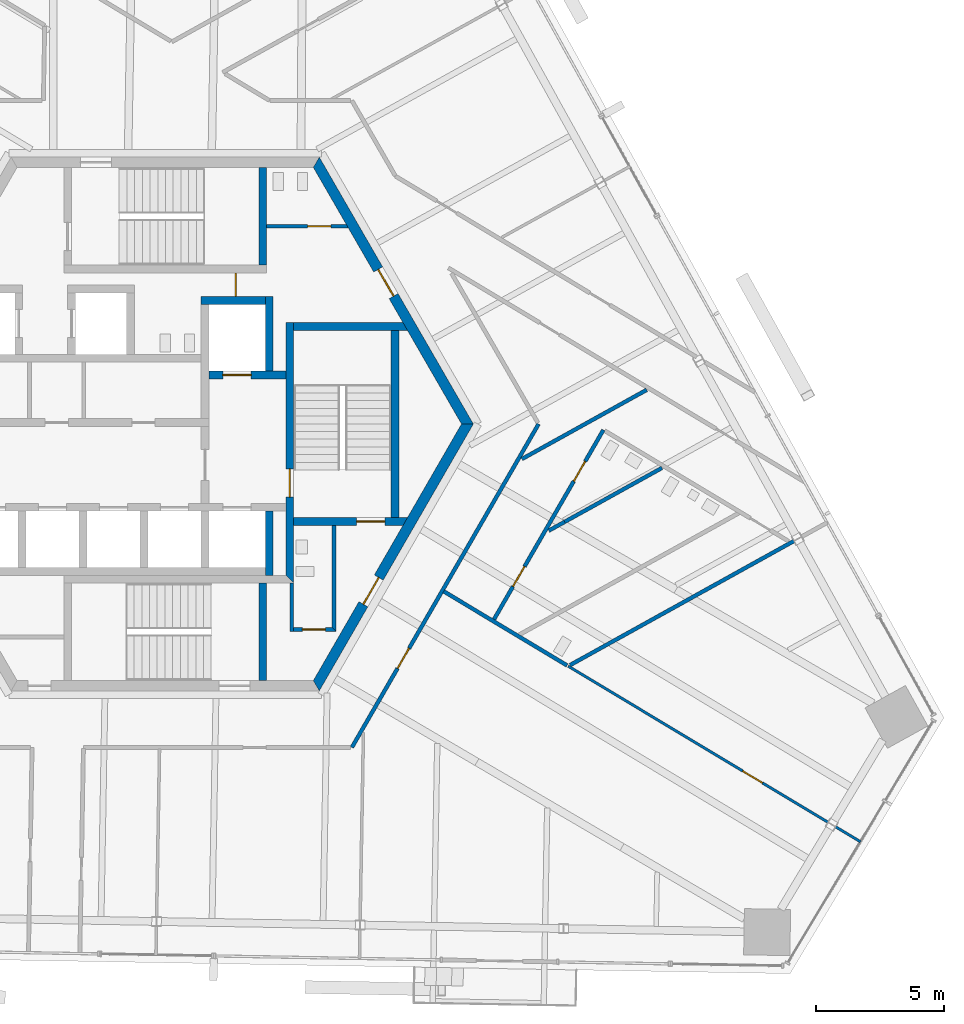
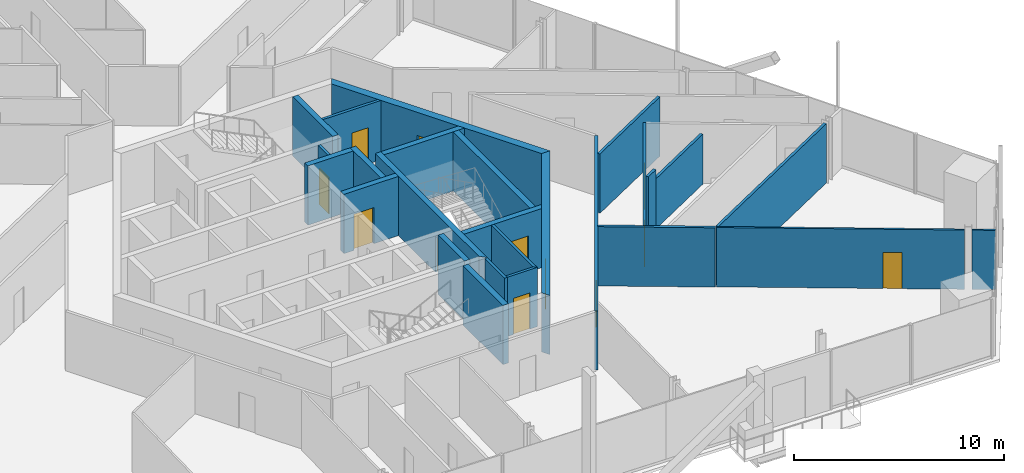
# One storey, part 13 of 21: 26 walls, 12 doors, 12 openings.
"""IFC4 building model written with IfcOpenShell, lengths in metres."""

from ifc_helpers import new_model, si_unit, direction, frame, frame_2d, origin, place, context, subcontext, project, spatial, polyline, rectangle, outline, extrude, source, transform, mapped, material, layer, layer_set, type_object, element, fill, save


model = new_model("IFC4")

# Units and contexts
model_context = context("Model", 3, precision=1e-05, world=origin(), true_north=direction((0.0, 1.0)))
body_context = subcontext(model_context, "Body", "Model", "MODEL_VIEW")
ifc_project = project(units=[si_unit("LENGTHUNIT", "METRE"), si_unit("AREAUNIT", "SQUARE_METRE"), si_unit("VOLUMEUNIT", "CUBIC_METRE"), si_unit("PLANEANGLEUNIT", "RADIAN"), si_unit("MASSUNIT", "GRAM", prefix="KILO")], contexts=[model_context])

# Site, building, storey
site_placement = place(None, origin())
site = spatial("IfcSite", under=ifc_project, at=site_placement, CompositionType="ELEMENT")
building_placement = place(site_placement, origin())
building = spatial("IfcBuilding", under=site, at=building_placement, Name="Triune Harvest Tower", CompositionType="ELEMENT")
storey_placement = place(building_placement, frame((0.0, 0.0, 201.5)))
storey = spatial("IfcBuildingStorey", under=building, at=storey_placement, Name="L52", CompositionType="ELEMENT", Elevation=201.5)

# Wall
ifc_material_1 = material(Name="Gypsum board on steel studs", Category="steel")
ifc_layer_1 = layer(ifc_material_1, 0.14990234375)
ifc_layer_set_1 = layer_set([ifc_layer_1], Name="Gypsum board on steel studs")
wall_type_1 = type_object("IfcWallType", Name="Fire Partition 150 mm", PredefinedType="PARTITIONING", material=ifc_layer_set_1)
wall_1_placement = place(storey_placement, frame((15.55712890625, -3.80908203125, 0.0), z_axis=(0.0, 0.0, 1.0), x_axis=(0.8746092269, 0.484828526617, 0.0)))
element("IfcWall", 1, at=wall_1_placement, inside=storey, type_object=wall_type_1, Name="Partition L52 029a", PredefinedType="PARTITIONING", context=body_context, shape_type="SweptSolid", body=[
    extrude(rectangle(XDim=4.328125, YDim=0.14990234375, at=frame_2d((2.1640625, 0.0))), origin(), (0.0, 0.0, 1.0), 2.904052734375),
])

# Wall, opening, door
ifc_material_2 = material(Name="Concrete 70 MPa", Category="concrete")
ifc_layer_2 = layer(ifc_material_2, 0.39990234375)
ifc_layer_set_2 = layer_set([ifc_layer_2], Name="Concrete 70 MPa")
wall_type_2 = type_object("IfcWallType", Name="Core wall 400", PredefinedType="SHEAR", material=ifc_layer_set_2)
shared_shape_1 = source(origin(), body_context, "Body", "SweptSolid", [
    extrude(outline(polyline([(-0.115478515625, -0.199951171875), (11.884521484375, -0.199951171875), (11.653564453125, 0.199951171875), (0.115478515625, 0.199951171875), (-0.115478515625, -0.199951171875)])), origin(), (0.0, 0.0, 1.0), 3.43994140625),
])
wall_2_placement = place(storey_placement, frame((11.76904296875, 0.0, 0.0), z_axis=(0.0, 0.0, 1.0), x_axis=(-0.499996592174, 0.866027371285, 0.0)))
wall_2 = element("IfcWall", 2, at=wall_2_placement, inside=storey, type_object=wall_type_2, Name="Hexagon 0 wall", PredefinedType="SHEAR", context=body_context, shape_type="MappedRepresentation", body=[
    mapped(shared_shape_1, transform((0.0, 0.0, 0.0), scale=1.0)),
])
opening_1_placement = place(wall_2_placement, frame((5.75048828125, 0.0, 0.0)))
opening_1 = element("IfcOpeningElement", 3, at=opening_1_placement, cuts=wall_2, Name="Opening CD-WCP", PredefinedType="OPENING", context=body_context, shape_type="SweptSolid", body=[
    extrude(rectangle(XDim=1.199951171875, YDim=2.10009765625, at=frame_2d((0.60009765625, 1.050048828125))), frame((0.0, 0.2099609375, 0.0), z_axis=(0.0, -1.0, 0.0), x_axis=(1.0, 0.0, 0.0)), (0.0, 0.0, 1.0), 0.419921875),
])
ifc_material_3 = material(Name="Steel S235", Category="steel")
door_type_1 = type_object("IfcDoorType", Name="Lobby door 1200 FD120", OperationType="SINGLE_SWING_LEFT", PredefinedType="DOOR", material=ifc_material_3)
door_1_placement = place(opening_1_placement, frame((1.199951171875, 0.0, 0.0), z_axis=(0.0, 0.0, 1.0), x_axis=(-1.0, 0.0, 0.0)))
door_1 = element("IfcDoor", 4, at=door_1_placement, inside=storey, type_object=door_type_1, Name="Door CD-WCP", OperationType="SINGLE_SWING_RIGHT", OverallHeight=2.10009765625, OverallWidth=1.199951171875, PredefinedType="DOOR", context=body_context, shape_type="SweptSolid", body=[
    extrude(rectangle(XDim=1.199951171875, YDim=2.10009765625, at=frame_2d((0.60009765625, 1.050048828125))), frame((0.0, 0.02490234375, 0.0), z_axis=(0.0, -1.0, 0.0), x_axis=(1.0, 0.0, 0.0)), (0.0, 0.0, 1.0), 0.050048828125),
])
fill(opening_1, door_1)

wall_3_placement = place(storey_placement, frame((5.884521484375, -10.1923828125, 0.0), z_axis=(0.0, 0.0, 1.0), x_axis=(0.499996592174, 0.866027371285, 0.0)))
wall_3 = element("IfcWall", 5, at=wall_3_placement, inside=storey, type_object=wall_type_2, Name="Hexagon 5 wall", PredefinedType="SHEAR", context=body_context, shape_type="MappedRepresentation", body=[
    mapped(shared_shape_1, transform((0.0, 0.0, 0.0), scale=1.0)),
])
opening_2_placement = place(wall_3_placement, frame((3.66455078125, 0.0, 0.0)))
opening_2 = element("IfcOpeningElement", 6, at=opening_2_placement, cuts=wall_3, Name="Opening CD-DP", PredefinedType="OPENING", context=body_context, shape_type="SweptSolid", body=[
    extrude(rectangle(XDim=1.199951171875, YDim=2.10009765625, at=frame_2d((0.60009765625, 1.050048828125))), frame((0.0, 0.2099609375, 0.0), z_axis=(0.0, -1.0, 0.0), x_axis=(1.0, 0.0, 0.0)), (0.0, 0.0, 1.0), 0.419921875),
])
ifc_material_4 = material(Name="Steel S235", Category="steel")
door_type_2 = type_object("IfcDoorType", Name="Stair door 1200 FD120", OperationType="SINGLE_SWING_LEFT", PredefinedType="DOOR", material=ifc_material_4)
door_2_placement = place(opening_2_placement, frame((1.199951171875, 0.0, 0.0), z_axis=(0.0, 0.0, 1.0), x_axis=(-1.0, 0.0, 0.0)))
door_2 = element("IfcDoor", 7, at=door_2_placement, inside=storey, type_object=door_type_2, Name="Door CD-DP", OperationType="SINGLE_SWING_RIGHT", OverallHeight=2.10009765625, OverallWidth=1.199951171875, PredefinedType="DOOR", context=body_context, shape_type="SweptSolid", body=[
    extrude(rectangle(XDim=1.199951171875, YDim=2.10009765625, at=frame_2d((0.60009765625, 1.050048828125))), frame((0.0, 0.02490234375, 0.0), z_axis=(0.0, -1.0, 0.0), x_axis=(1.0, 0.0, 0.0)), (0.0, 0.0, 1.0), 0.050048828125),
])
fill(opening_2, door_2)

# Walls
ifc_material_5 = material(Name="Concrete 70 MPa", Category="concrete")
ifc_layer_3 = layer(ifc_material_5, 0.300048828125)
ifc_layer_set_3 = layer_set([ifc_layer_3], Name="Concrete 70 MPa")
wall_type_3 = type_object("IfcWallType", Name="Core wall 300", PredefinedType="SHEAR", material=ifc_layer_set_3)
shared_shape_2 = source(origin(), body_context, "Body", "SweptSolid", [
    extrude(rectangle(XDim=2.5, YDim=0.300048828125, at=frame_2d((1.25, 0.0))), origin(), (0.0, 0.0, 1.0), 3.43994140625),
])
for number, where, z_axis, x_axis, name in (
    (8, (1.39990234375, 4.81005859375, 0.0), (0.0, 0.0, 1.0), (1.0, 0.0, 0.0), "Ff1 back wall"),
    (9, (4.050048828125, -5.889892578125, 0.0), (0.0, 0.0, 1.0), (0.0, 1.0, 0.0), "Ff2 east wall"),
):
    element("IfcWall", number, at=place(storey_placement, frame(where, z_axis=z_axis, x_axis=x_axis)), inside=storey, type_object=wall_type_3, Name=name, PredefinedType="SHEAR", context=body_context, shape_type="MappedRepresentation", body=[
        mapped(shared_shape_2, transform((0.0, 0.0, 0.0), scale=1.0)),
    ])

# Wall, opening, door
shared_shape_3 = source(origin(), body_context, "Body", "SweptSolid", [
    extrude(rectangle(XDim=3.0, YDim=0.300048828125, at=frame_2d((1.5, 0.0))), origin(), (0.0, 0.0, 1.0), 3.43994140625),
])
wall_4_placement = place(storey_placement, frame((1.699951171875, 1.909912109375, 0.0), z_axis=(0.0, 0.0, 1.0), x_axis=(1.0, 0.0, 0.0)))
wall_4 = element("IfcWall", 10, at=wall_4_placement, inside=storey, type_object=wall_type_3, Name="Ff1 front wall", PredefinedType="SHEAR", context=body_context, shape_type="MappedRepresentation", body=[
    mapped(shared_shape_3, transform((0.0, 0.0, 0.0), scale=1.0)),
])
opening_3_placement = place(wall_4_placement, frame((0.550048828125, 0.0, 0.0)))
opening_3 = element("IfcOpeningElement", 11, at=opening_3_placement, cuts=wall_4, Name="Opening LD-FF1-52", PredefinedType="OPENING", context=body_context, shape_type="SweptSolid", body=[
    extrude(rectangle(XDim=1.10009765625, YDim=2.10009765625, at=frame_2d((0.550048828125, 1.050048828125))), frame((0.0, 0.16015625, 0.0), z_axis=(0.0, -1.0, 0.0), x_axis=(1.0, 0.0, 0.0)), (0.0, 0.0, 1.0), 0.320068359375),
])
ifc_material_6 = material(Name="Stainless steel AISI 304", Category="steel")
door_type_3 = type_object("IfcDoorType", Name="Landing door 1100 x 2100", OperationType="DOUBLE_DOOR_SLIDING", PredefinedType="DOOR", material=ifc_material_6)
door_3_placement = place(opening_3_placement, origin())
door_3 = element("IfcDoor", 12, at=door_3_placement, inside=storey, type_object=door_type_3, Name="Door LD-FF1-52", OperationType="DOUBLE_DOOR_SLIDING", OverallHeight=2.10009765625, OverallWidth=1.10009765625, PredefinedType="DOOR", context=body_context, shape_type="SweptSolid", body=[
    extrude(rectangle(XDim=1.10009765625, YDim=2.10009765625, at=frame_2d((0.550048828125, 1.050048828125))), frame((0.0, 0.02490234375, 0.0), z_axis=(0.0, -1.0, 0.0), x_axis=(1.0, 0.0, 0.0)), (0.0, 0.0, 1.0), 0.050048828125),
])
fill(opening_3, door_3)

# Wall
shared_shape_4 = source(origin(), body_context, "Body", "SweptSolid", [
    extrude(rectangle(XDim=2.89990234375, YDim=0.300048828125, at=frame_2d((1.449951171875, 0.0))), origin(), (0.0, 0.0, 1.0), 3.43994140625),
])
wall_5_placement = place(storey_placement, frame((4.050048828125, 2.06005859375, 0.0), z_axis=(0.0, 0.0, 1.0), x_axis=(0.0, 1.0, 0.0)))
element("IfcWall", 13, at=wall_5_placement, inside=storey, type_object=wall_type_3, Name="Ff1 east wall", PredefinedType="SHEAR", context=body_context, shape_type="MappedRepresentation", body=[
    mapped(shared_shape_4, transform((0.0, 0.0, 0.0), scale=1.0)),
])

# Wall, opening, door
shared_shape_5 = source(origin(), body_context, "Body", "SweptSolid", [
    extrude(outline(polyline([(-0.14990234375, -0.14990234375), (9.989990234375, -0.14990234375), (9.989990234375, 0.14990234375), (0.14990234375, 0.14990234375), (-0.14990234375, -0.14990234375)])), origin(), (0.0, 0.0, 1.0), 3.43994140625),
])
wall_6_placement = place(storey_placement, frame((4.85009765625, -6.0400390625, 0.0), z_axis=(0.0, 0.0, 1.0), x_axis=(0.0, 1.0, 0.0)))
wall_6 = element("IfcWall", 14, at=wall_6_placement, inside=storey, type_object=wall_type_3, Name="Stair e west wall", PredefinedType="SHEAR", context=body_context, shape_type="MappedRepresentation", body=[
    mapped(shared_shape_5, transform((0.0, 0.0, 0.0), scale=1.0)),
])
opening_4_placement = place(wall_6_placement, frame((3.18994140625, 0.0, 0.0)))
opening_4 = element("IfcOpeningElement", 15, at=opening_4_placement, cuts=wall_6, Name="Opening CD-S3L", PredefinedType="OPENING", context=body_context, shape_type="SweptSolid", body=[
    extrude(rectangle(XDim=1.10009765625, YDim=2.10009765625, at=frame_2d((0.550048828125, 1.050048828125))), frame((0.0, 0.16015625, 0.0), z_axis=(0.0, -1.0, 0.0), x_axis=(1.0, 0.0, 0.0)), (0.0, 0.0, 1.0), 0.320068359375),
])
ifc_material_7 = material(Name="Steel S235", Category="steel")
door_type_4 = type_object("IfcDoorType", Name="Stair door 1100 FD120", OperationType="SINGLE_SWING_LEFT", PredefinedType="DOOR", material=ifc_material_7)
door_4_placement = place(opening_4_placement, frame((1.10009765625, 0.0, 0.0), z_axis=(0.0, 0.0, 1.0), x_axis=(-1.0, 0.0, 0.0)))
door_4 = element("IfcDoor", 16, at=door_4_placement, inside=storey, type_object=door_type_4, Name="Door CD-S3L", OperationType="SINGLE_SWING_RIGHT", OverallHeight=2.10009765625, OverallWidth=1.10009765625, PredefinedType="DOOR", context=body_context, shape_type="SweptSolid", body=[
    extrude(rectangle(XDim=1.10009765625, YDim=2.10009765625, at=frame_2d((0.550048828125, 1.050048828125))), frame((0.0, 0.02490234375, 0.0), z_axis=(0.0, -1.0, 0.0), x_axis=(1.0, 0.0, 0.0)), (0.0, 0.0, 1.0), 0.050048828125),
])
fill(opening_4, door_4)

# Wall
shared_shape_6 = source(origin(), body_context, "Body", "SweptSolid", [
    extrude(outline(polyline([(0.0, -0.14990234375), (0.0, 0.14990234375), (4.260009765625, 0.14990234375), (4.43310546875, -0.14990234375), (0.0, -0.14990234375)])), origin(), (0.0, 0.0, 1.0), 3.43994140625),
])
wall_7_placement = place(storey_placement, frame((5.0, 3.800048828125, 0.0), z_axis=(0.0, 0.0, 1.0), x_axis=(1.0, 0.0, 0.0)))
element("IfcWall", 17, at=wall_7_placement, inside=storey, type_object=wall_type_3, Name="Stair e north wall", PredefinedType="SHEAR", context=body_context, shape_type="MappedRepresentation", body=[
    mapped(shared_shape_6, transform((0.0, 0.0, 0.0), scale=1.0)),
])

# Wall, opening, door
shared_shape_7 = source(origin(), body_context, "Body", "SweptSolid", [
    extrude(outline(polyline([(0.0, -0.14990234375), (0.0, 0.14990234375), (4.43310546875, 0.14990234375), (4.260009765625, -0.14990234375), (0.0, -0.14990234375)])), origin(), (0.0, 0.0, 1.0), 3.43994140625),
])
wall_8_placement = place(storey_placement, frame((5.0, -3.800048828125, 0.0), z_axis=(0.0, 0.0, 1.0), x_axis=(1.0, 0.0, 0.0)))
wall_8 = element("IfcWall", 18, at=wall_8_placement, inside=storey, type_object=wall_type_3, Name="Stair e south wall", PredefinedType="SHEAR", context=body_context, shape_type="MappedRepresentation", body=[
    mapped(shared_shape_7, transform((0.0, 0.0, 0.0), scale=1.0)),
])
opening_5_placement = place(wall_8_placement, frame((2.449951171875, 0.0, 0.0)))
opening_5 = element("IfcOpeningElement", 19, at=opening_5_placement, cuts=wall_8, Name="Opening CD-S3D", PredefinedType="OPENING", context=body_context, shape_type="SweptSolid", body=[
    extrude(rectangle(XDim=1.10009765625, YDim=2.10009765625, at=frame_2d((0.550048828125, 1.050048828125))), frame((0.0, 0.16015625, 0.0), z_axis=(0.0, -1.0, 0.0), x_axis=(1.0, 0.0, 0.0)), (0.0, 0.0, 1.0), 0.320068359375),
])
door_5_placement = place(opening_5_placement, frame((1.10009765625, 0.0, 0.0), z_axis=(0.0, 0.0, 1.0), x_axis=(-1.0, 0.0, 0.0)))
door_5 = element("IfcDoor", 20, at=door_5_placement, inside=storey, type_object=door_type_4, Name="Door CD-S3D", OperationType="SINGLE_SWING_RIGHT", OverallHeight=2.10009765625, OverallWidth=1.10009765625, PredefinedType="DOOR", context=body_context, shape_type="SweptSolid", body=[
    extrude(rectangle(XDim=1.10009765625, YDim=2.10009765625, at=frame_2d((0.550048828125, 1.050048828125))), frame((0.0, 0.02490234375, 0.0), z_axis=(0.0, -1.0, 0.0), x_axis=(1.0, 0.0, 0.0)), (0.0, 0.0, 1.0), 0.050048828125),
])
fill(opening_5, door_5)

# Walls
shared_shape_8 = source(origin(), body_context, "Body", "SweptSolid", [
    extrude(rectangle(XDim=7.2998046875, YDim=0.300048828125, at=frame_2d((3.64990234375, 0.0))), origin(), (0.0, 0.0, 1.0), 3.43994140625),
])
wall_9_placement = place(storey_placement, frame((8.949951171875, -3.64990234375, 0.0), z_axis=(0.0, 0.0, 1.0), x_axis=(0.0, 1.0, 0.0)))
element("IfcWall", 21, at=wall_9_placement, inside=storey, type_object=wall_type_3, Name="Stair e east wall", PredefinedType="SHEAR", context=body_context, shape_type="MappedRepresentation", body=[
    mapped(shared_shape_8, transform((0.0, 0.0, 0.0), scale=1.0)),
])
shared_shape_9 = source(origin(), body_context, "Body", "SweptSolid", [
    extrude(outline(polyline([(0.0, -0.14990234375), (0.0, 0.14990234375), (3.80419921875, 0.14990234375), (3.80419921875, -0.14990234375), (0.0, -0.14990234375)])), origin(), (0.0, 0.0, 1.0), 3.43994140625),
])
wall_10_placement = place(storey_placement, frame((3.800048828125, 6.18994140625, 0.0), z_axis=(0.0, 0.0, 1.0), x_axis=(0.0, 1.0, 0.0)))
element("IfcWall", 22, at=wall_10_placement, inside=storey, type_object=wall_type_3, Name="Stair n east wall", PredefinedType="SHEAR", context=body_context, shape_type="MappedRepresentation", body=[
    mapped(shared_shape_9, transform((0.0, 0.0, 0.0), scale=1.0)),
])
shared_shape_10 = source(origin(), body_context, "Body", "SweptSolid", [
    extrude(outline(polyline([(3.800048828125, -0.14990234375), (-0.00439453125, -0.14990234375), (-0.00439453125, 0.14990234375), (3.800048828125, 0.14990234375), (3.800048828125, -0.14990234375)])), origin(), (0.0, 0.0, 1.0), 3.43994140625),
])
wall_11_placement = place(storey_placement, frame((3.800048828125, -9.989990234375, 0.0), z_axis=(0.0, 0.0, 1.0), x_axis=(0.0, 1.0, 0.0)))
element("IfcWall", 23, at=wall_11_placement, inside=storey, type_object=wall_type_3, Name="Stair s east wall", PredefinedType="SHEAR", context=body_context, shape_type="MappedRepresentation", body=[
    mapped(shared_shape_10, transform((0.0, 0.0, 0.0), scale=1.0)),
])

# Wall, opening, door
ifc_material_8 = material(Name="Concrete masonry unit", Category="masonry")
ifc_layer_4 = layer(ifc_material_8, 0.14990234375)
ifc_layer_set_4 = layer_set([ifc_layer_4], Name="Concrete masonry unit")
wall_type_4 = type_object("IfcWallType", Name="Block partition 150 unrated", PredefinedType="PARTITIONING", material=ifc_layer_set_4)
shared_shape_11 = source(origin(), body_context, "Body", "SweptSolid", [
    extrude(outline(polyline([(0.0, -0.074951171875), (1.64990234375, -0.074951171875), (1.5, 0.074951171875), (0.0, 0.074951171875), (0.0, -0.074951171875)])), origin(), (0.0, 0.0, 1.0), 3.43994140625),
])
wall_12_placement = place(storey_placement, frame((5.0, -8.0, 0.0), z_axis=(0.0, 0.0, 1.0), x_axis=(1.0, 0.0, 0.0)))
wall_12 = element("IfcWall", 24, at=wall_12_placement, inside=storey, type_object=wall_type_4, Name="Wc acc south wall", PredefinedType="PARTITIONING", context=body_context, shape_type="MappedRepresentation", body=[
    mapped(shared_shape_11, transform((0.0, 0.0, 0.0), scale=1.0)),
])
opening_6_placement = place(wall_12_placement, frame((0.33740234375, 0.0, 0.0)))
opening_6 = element("IfcOpeningElement", 25, at=opening_6_placement, cuts=wall_12, Name="Opening CD-WA", PredefinedType="OPENING", context=body_context, shape_type="SweptSolid", body=[
    extrude(rectangle(XDim=0.89990234375, YDim=2.10009765625, at=frame_2d((0.449951171875, 1.050048828125))), frame((0.0, 0.0849609375, 0.0), z_axis=(0.0, -1.0, 0.0), x_axis=(1.0, 0.0, 0.0)), (0.0, 0.0, 1.0), 0.169921875),
])
ifc_material_9 = material(Name="Timber C24", Category="wood")
door_type_5 = type_object("IfcDoorType", Name="WC door 900", OperationType="SINGLE_SWING_LEFT", PredefinedType="DOOR", material=ifc_material_9)
door_6_placement = place(opening_6_placement, origin())
door_6 = element("IfcDoor", 26, at=door_6_placement, inside=storey, type_object=door_type_5, Name="Door CD-WA", OperationType="SINGLE_SWING_LEFT", OverallHeight=2.10009765625, OverallWidth=0.89990234375, PredefinedType="DOOR", context=body_context, shape_type="SweptSolid", body=[
    extrude(rectangle(XDim=0.89990234375, YDim=2.10009765625, at=frame_2d((0.449951171875, 1.050048828125))), frame((0.0, 0.02490234375, 0.0), z_axis=(0.0, -1.0, 0.0), x_axis=(1.0, 0.0, 0.0)), (0.0, 0.0, 1.0), 0.050048828125),
])
fill(opening_6, door_6)

# Walls
shared_shape_12 = source(origin(), body_context, "Body", "SweptSolid", [
    extrude(outline(polyline([(-0.074951171875, -0.074951171875), (4.050048828125, -0.074951171875), (4.050048828125, 0.074951171875), (0.074951171875, 0.074951171875), (-0.074951171875, -0.074951171875)])), origin(), (0.0, 0.0, 1.0), 3.43994140625),
])
wall_13_placement = place(storey_placement, frame((6.574951171875, -8.0, 0.0), z_axis=(0.0, 0.0, 1.0), x_axis=(0.0, 1.0, 0.0)))
element("IfcWall", 27, at=wall_13_placement, inside=storey, type_object=wall_type_4, Name="Wc acc east wall", PredefinedType="PARTITIONING", context=body_context, shape_type="MappedRepresentation", body=[
    mapped(shared_shape_12, transform((0.0, 0.0, 0.0), scale=1.0)),
])
shared_shape_13 = source(origin(), body_context, "Body", "SweptSolid", [
    extrude(rectangle(XDim=1.885009765625, YDim=0.14990234375, at=frame_2d((0.9423828125, 0.0))), origin(), (0.0, 0.0, 1.0), 3.43994140625),
])
wall_14_placement = place(storey_placement, frame((4.925048828125, -8.074951171875, 0.0), z_axis=(0.0, 0.0, 1.0), x_axis=(0.0, 1.0, 0.0)))
element("IfcWall", 28, at=wall_14_placement, inside=storey, type_object=wall_type_4, Name="Wc acc west wall", PredefinedType="PARTITIONING", context=body_context, shape_type="MappedRepresentation", body=[
    mapped(shared_shape_13, transform((0.0, 0.0, 0.0), scale=1.0)),
])

# Wall, opening, door
shared_shape_14 = source(origin(), body_context, "Body", "SweptSolid", [
    extrude(outline(polyline([(0.0, -0.074951171875), (0.0, 0.074951171875), (3.1015625, 0.074951171875), (3.18798828125, -0.074951171875), (0.0, -0.074951171875)])), origin(), (0.0, 0.0, 1.0), 3.43994140625),
])
wall_15_placement = place(storey_placement, frame((3.949951171875, 7.699951171875, 0.0), z_axis=(0.0, 0.0, 1.0), x_axis=(1.0, 0.0, 0.0)))
wall_15 = element("IfcWall", 29, at=wall_15_placement, inside=storey, type_object=wall_type_4, Name="Wc women south wall", PredefinedType="PARTITIONING", context=body_context, shape_type="MappedRepresentation", body=[
    mapped(shared_shape_14, transform((0.0, 0.0, 0.0), scale=1.0)),
])
opening_7_placement = place(wall_15_placement, frame((1.60009765625, 0.0, 0.0)))
opening_7 = element("IfcOpeningElement", 30, at=opening_7_placement, cuts=wall_15, Name="Opening CD-WW", PredefinedType="OPENING", context=body_context, shape_type="SweptSolid", body=[
    extrude(rectangle(XDim=0.89990234375, YDim=2.10009765625, at=frame_2d((0.449951171875, 1.050048828125))), frame((0.0, 0.0849609375, 0.0), z_axis=(0.0, -1.0, 0.0), x_axis=(1.0, 0.0, 0.0)), (0.0, 0.0, 1.0), 0.169921875),
])
door_7_placement = place(opening_7_placement, origin())
door_7 = element("IfcDoor", 31, at=door_7_placement, inside=storey, type_object=door_type_5, Name="Door CD-WW", OperationType="SINGLE_SWING_LEFT", OverallHeight=2.10009765625, OverallWidth=0.89990234375, PredefinedType="DOOR", context=body_context, shape_type="SweptSolid", body=[
    extrude(rectangle(XDim=0.89990234375, YDim=2.10009765625, at=frame_2d((0.449951171875, 1.050048828125))), frame((0.0, 0.02490234375, 0.0), z_axis=(0.0, -1.0, 0.0), x_axis=(1.0, 0.0, 0.0)), (0.0, 0.0, 1.0), 0.050048828125),
])
fill(opening_7, door_7)

shared_shape_15 = source(origin(), body_context, "Body", "SweptSolid", [
    extrude(rectangle(XDim=0.929931640625, YDim=0.14990234375, at=frame_2d((0.46484375, 0.0))), origin(), (0.0, 0.0, 1.0), 3.43994140625),
])
wall_16_placement = place(storey_placement, frame((2.75, 4.9599609375, 0.0), z_axis=(0.0, 0.0, 1.0), x_axis=(0.0, 1.0, 0.0)))
wall_16 = element("IfcWall", 32, at=wall_16_placement, inside=storey, type_object=wall_type_4, Name="Wc men east b wall", PredefinedType="PARTITIONING", context=body_context, shape_type="MappedRepresentation", body=[
    mapped(shared_shape_15, transform((0.0, 0.0, 0.0), scale=1.0)),
])
opening_8_placement = place(wall_16_placement, frame((0.014892578125, 0.0, 0.0)))
opening_8 = element("IfcOpeningElement", 33, at=opening_8_placement, cuts=wall_16, Name="Opening CD-WM", PredefinedType="OPENING", context=body_context, shape_type="SweptSolid", body=[
    extrude(rectangle(XDim=0.89990234375, YDim=2.10009765625, at=frame_2d((0.449951171875, 1.050048828125))), frame((0.0, 0.0849609375, 0.0), z_axis=(0.0, -1.0, 0.0), x_axis=(1.0, 0.0, 0.0)), (0.0, 0.0, 1.0), 0.169921875),
])
door_8_placement = place(opening_8_placement, origin())
door_8 = element("IfcDoor", 34, at=door_8_placement, inside=storey, type_object=door_type_5, Name="Door CD-WM", OperationType="SINGLE_SWING_LEFT", OverallHeight=2.10009765625, OverallWidth=0.89990234375, PredefinedType="DOOR", context=body_context, shape_type="SweptSolid", body=[
    extrude(rectangle(XDim=0.89990234375, YDim=2.10009765625, at=frame_2d((0.449951171875, 1.050048828125))), frame((0.0, 0.02490234375, 0.0), z_axis=(0.0, -1.0, 0.0), x_axis=(1.0, 0.0, 0.0)), (0.0, 0.0, 1.0), 0.050048828125),
])
fill(opening_8, door_8)

# Walls
ifc_material_10 = material(Name="Gypsum board on steel studs", Category="steel")
ifc_layer_5 = layer(ifc_material_10, 0.10009765625)
ifc_layer_set_5 = layer_set([ifc_layer_5], Name="Gypsum board on steel studs")
wall_type_5 = type_object("IfcWallType", Name="Partition 100 mm", PredefinedType="PARTITIONING", material=ifc_layer_set_5)
shared_shape_16 = source(origin(), body_context, "Body", "SweptSolid", [
    extrude(rectangle(XDim=1.130615234375, YDim=0.10009765625, at=frame_2d((0.5654296875, 0.0))), origin(), (0.0, 0.0, 1.0), 3.43994140625),
])
wall_17_placement = place(storey_placement, frame((26.1044921875, -15.685302734375, 0.0), z_axis=(0.0, 0.0, 1.0), x_axis=(0.857207015423, -0.514971972742, 0.0)))
element("IfcWall", 35, at=wall_17_placement, inside=storey, type_object=wall_type_5, Name="Partition L52 008", PredefinedType="PARTITIONING", context=body_context, shape_type="MappedRepresentation", body=[
    mapped(shared_shape_16, transform((0.0, 0.0, 0.0), scale=1.0)),
])
shared_shape_17 = source(origin(), body_context, "Body", "SweptSolid", [
    extrude(rectangle(XDim=5.60302734375, YDim=0.14990234375, at=frame_2d((2.801513671875, 0.0))), origin(), (0.0, 0.0, 1.0), 3.43994140625),
])
wall_18_placement = place(storey_placement, frame((10.8466796875, -6.517333984375, 0.0), z_axis=(0.0, 0.0, 1.0), x_axis=(0.857169803297, -0.51503390987, 0.0)))
element("IfcWall", 36, at=wall_18_placement, inside=storey, type_object=wall_type_1, Name="Partition L52 006", PredefinedType="PARTITIONING", context=body_context, shape_type="MappedRepresentation", body=[
    mapped(shared_shape_17, transform((0.0, 0.0, 0.0), scale=1.0)),
])

# Wall, opening, door
shared_shape_18 = source(origin(), body_context, "Body", "SweptSolid", [
    extrude(rectangle(XDim=11.803955078125, YDim=0.10009765625, at=frame_2d((5.90185546875, 0.0))), origin(), (0.0, 0.0, 1.0), 3.43994140625),
])
wall_19_placement = place(storey_placement, frame((15.6923828125, -9.428955078125, 0.0), z_axis=(0.0, 0.0, 1.0), x_axis=(0.857162430519, -0.51504618017, 0.0)))
wall_19 = element("IfcWall", 37, at=wall_19_placement, inside=storey, type_object=wall_type_5, Name="Partition L52 007", PredefinedType="PARTITIONING", context=body_context, shape_type="MappedRepresentation", body=[
    mapped(shared_shape_18, transform((0.0, 0.0, 0.0), scale=1.0)),
])
opening_9_placement = place(wall_19_placement, frame((7.927978515625, 0.0, 0.0)))
opening_9 = element("IfcOpeningElement", 38, at=opening_9_placement, cuts=wall_19, Name="Opening L52-022", PredefinedType="OPENING", context=body_context, shape_type="SweptSolid", body=[
    extrude(rectangle(XDim=0.89990234375, YDim=2.10009765625, at=frame_2d((0.449951171875, 1.050048828125))), frame((0.0, 0.06005859375, 0.0), z_axis=(0.0, -1.0, 0.0), x_axis=(1.0, 0.0, 0.0)), (0.0, 0.0, 1.0), 0.1201171875),
])
ifc_material_11 = material(Name="Timber and steel door set", Category="steel")
door_type_6 = type_object("IfcDoorType", Name="Single leaf door right hand 900 x 2100", OperationType="SINGLE_SWING_RIGHT", PredefinedType="DOOR", material=ifc_material_11)
door_9_placement = place(opening_9_placement, origin())
door_9 = element("IfcDoor", 39, at=door_9_placement, inside=storey, type_object=door_type_6, Name="Door L52-022 Reception 52.22", OperationType="SINGLE_SWING_RIGHT", OverallHeight=2.10009765625, OverallWidth=0.89990234375, PredefinedType="DOOR", context=body_context, shape_type="SweptSolid", body=[
    extrude(rectangle(XDim=0.89990234375, YDim=2.10009765625, at=frame_2d((0.449951171875, 1.050048828125))), frame((0.0, 0.02490234375, 0.0), z_axis=(0.0, -1.0, 0.0), x_axis=(1.0, 0.0, 0.0)), (0.0, 0.0, 1.0), 0.050048828125),
])
fill(opening_9, door_9)

# Walls
shared_shape_19 = source(origin(), body_context, "Body", "SweptSolid", [
    extrude(rectangle(XDim=9.9697265625, YDim=0.14990234375, at=frame_2d((4.98486328125, 0.0))), origin(), (0.0, 0.0, 1.0), 3.43994140625),
])
wall_20_placement = place(storey_placement, frame((15.76220703125, -9.39013671875, 0.0), z_axis=(0.0, 0.0, 1.0), x_axis=(0.874616613675, 0.484815200962, 0.0)))
element("IfcWall", 40, at=wall_20_placement, inside=storey, type_object=wall_type_1, Name="Partition L52 026", PredefinedType="PARTITIONING", context=body_context, shape_type="MappedRepresentation", body=[
    mapped(shared_shape_19, transform((0.0, 0.0, 0.0), scale=1.0)),
])
shared_shape_20 = source(origin(), body_context, "Body", "SweptSolid", [
    extrude(rectangle(XDim=0.7119140625, YDim=0.14990234375, at=frame_2d((0.35595703125, 0.0))), origin(), (0.0, 0.0, 1.0), 3.43994140625),
])
wall_21_placement = place(storey_placement, frame((14.9345703125, -4.154296875, 0.0), z_axis=(0.0, 0.0, 1.0), x_axis=(0.874545252148, 0.484943916289, 0.0)))
element("IfcWall", 41, at=wall_21_placement, inside=storey, type_object=wall_type_1, Name="Partition L52 029", PredefinedType="PARTITIONING", context=body_context, shape_type="MappedRepresentation", body=[
    mapped(shared_shape_20, transform((0.0, 0.0, 0.0), scale=1.0)),
])
shared_shape_21 = source(origin(), body_context, "Body", "SweptSolid", [
    extrude(rectangle(XDim=5.556396484375, YDim=0.14990234375, at=frame_2d((2.7783203125, 0.0))), origin(), (0.0, 0.0, 1.0), 3.43994140625),
])
wall_22_placement = place(storey_placement, frame((13.88916015625, -1.36474609375, 0.0), z_axis=(0.0, 0.0, 1.0), x_axis=(0.874610795067, 0.484825697702, 0.0)))
element("IfcWall", 42, at=wall_22_placement, inside=storey, type_object=wall_type_1, Name="Partition L52 030", PredefinedType="PARTITIONING", context=body_context, shape_type="MappedRepresentation", body=[
    mapped(shared_shape_21, transform((0.0, 0.0, 0.0), scale=1.0)),
])

# Wall, openings, doors
shared_shape_22 = source(origin(), body_context, "Body", "SweptSolid", [
    extrude(rectangle(XDim=8.59228515625, YDim=0.14990234375, at=frame_2d((4.296142578125, 0.0))), origin(), (0.0, 0.0, 1.0), 3.43994140625),
])
wall_23_placement = place(storey_placement, frame((12.76708984375, -7.67138671875, 0.0), z_axis=(0.0, 0.0, 1.0), x_axis=(0.499998745784, 0.866026127905, 0.0)))
wall_23 = element("IfcWall", 43, at=wall_23_placement, inside=storey, type_object=wall_type_1, Name="Partition L52 042", PredefinedType="PARTITIONING", context=body_context, shape_type="MappedRepresentation", body=[
    mapped(shared_shape_22, transform((0.0, 0.0, 0.0), scale=1.0)),
])
opening_10_placement = place(wall_23_placement, frame((1.550048828125, 0.0, 0.0)))
opening_10 = element("IfcOpeningElement", 44, at=opening_10_placement, cuts=wall_23, Name="Opening L52-003", PredefinedType="OPENING", context=body_context, shape_type="SweptSolid", body=[
    extrude(rectangle(XDim=0.89990234375, YDim=2.10009765625, at=frame_2d((0.449951171875, 1.050048828125))), frame((0.0, 0.0849609375, 0.0), z_axis=(0.0, -1.0, 0.0), x_axis=(1.0, 0.0, 0.0)), (0.0, 0.0, 1.0), 0.169921875),
])
opening_11_placement = place(wall_23_placement, frame((6.282470703125, 0.0, 0.0)))
opening_11 = element("IfcOpeningElement", 45, at=opening_11_placement, cuts=wall_23, Name="Opening L52-004", PredefinedType="OPENING", context=body_context, shape_type="SweptSolid", body=[
    extrude(rectangle(XDim=0.89990234375, YDim=2.10009765625, at=frame_2d((0.449951171875, 1.050048828125))), frame((0.0, 0.0849609375, 0.0), z_axis=(0.0, -1.0, 0.0), x_axis=(1.0, 0.0, 0.0)), (0.0, 0.0, 1.0), 0.169921875),
])
ifc_material_12 = material(Name="Timber and steel door set", Category="steel")
door_type_7 = type_object("IfcDoorType", Name="Single leaf door FD30 left hand 900 x 2100", OperationType="SINGLE_SWING_LEFT", PredefinedType="DOOR", material=ifc_material_12)
door_10_placement = place(opening_11_placement, origin())
door_10 = element("IfcDoor", 46, at=door_10_placement, inside=storey, type_object=door_type_7, Name="Door L52-004 Accessible WC 52.04", OperationType="SINGLE_SWING_LEFT", OverallHeight=2.10009765625, OverallWidth=0.89990234375, PredefinedType="DOOR", context=body_context, shape_type="SweptSolid", body=[
    extrude(rectangle(XDim=0.89990234375, YDim=2.10009765625, at=frame_2d((0.449951171875, 1.050048828125))), frame((0.0, 0.02490234375, 0.0), z_axis=(0.0, -1.0, 0.0), x_axis=(1.0, 0.0, 0.0)), (0.0, 0.0, 1.0), 0.050048828125),
])
fill(opening_11, door_10)
ifc_material_13 = material(Name="Timber and steel door set", Category="steel")
door_type_8 = type_object("IfcDoorType", Name="Single leaf door FD30 right hand 900 x 2100", OperationType="SINGLE_SWING_RIGHT", PredefinedType="DOOR", material=ifc_material_13)
door_11_placement = place(opening_10_placement, origin())
door_11 = element("IfcDoor", 47, at=door_11_placement, inside=storey, type_object=door_type_8, Name="Door L52-003 Men's WC 52.03", OperationType="SINGLE_SWING_RIGHT", OverallHeight=2.10009765625, OverallWidth=0.89990234375, PredefinedType="DOOR", context=body_context, shape_type="SweptSolid", body=[
    extrude(rectangle(XDim=0.89990234375, YDim=2.10009765625, at=frame_2d((0.449951171875, 1.050048828125))), frame((0.0, 0.02490234375, 0.0), z_axis=(0.0, -1.0, 0.0), x_axis=(1.0, 0.0, 0.0)), (0.0, 0.0, 1.0), 0.050048828125),
])
fill(opening_10, door_11)

# Wall, opening, door
shared_shape_23 = source(origin(), body_context, "Body", "SweptSolid", [
    extrude(rectangle(XDim=14.5400390625, YDim=0.14990234375, at=frame_2d((7.27001953125, 0.0))), origin(), (0.0, 0.0, 1.0), 3.43994140625),
])
wall_24_placement = place(storey_placement, frame((7.270263671875, -12.592041015625, 0.0), z_axis=(0.0, 0.0, 1.0), x_axis=(0.500000065057, 0.866025366224, 0.0)))
wall_24 = element("IfcWall", 48, at=wall_24_placement, inside=storey, type_object=wall_type_1, Name="Partition L52 043", PredefinedType="PARTITIONING", context=body_context, shape_type="MappedRepresentation", body=[
    mapped(shared_shape_23, transform((0.0, 0.0, 0.0), scale=1.0)),
])
opening_12_placement = place(wall_24_placement, frame((3.55419921875, 0.0, 0.0)))
opening_12 = element("IfcOpeningElement", 49, at=opening_12_placement, cuts=wall_24, Name="Opening L52-021", PredefinedType="OPENING", context=body_context, shape_type="SweptSolid", body=[
    extrude(rectangle(XDim=0.89990234375, YDim=2.10009765625, at=frame_2d((0.449951171875, 1.050048828125))), frame((0.0, 0.0849609375, 0.0), z_axis=(0.0, -1.0, 0.0), x_axis=(1.0, 0.0, 0.0)), (0.0, 0.0, 1.0), 0.169921875),
])
door_12_placement = place(opening_12_placement, origin())
door_12 = element("IfcDoor", 50, at=door_12_placement, inside=storey, type_object=door_type_8, Name="Door L52-021 Office 52.21", OperationType="SINGLE_SWING_RIGHT", OverallHeight=2.10009765625, OverallWidth=0.89990234375, PredefinedType="DOOR", context=body_context, shape_type="SweptSolid", body=[
    extrude(rectangle(XDim=0.89990234375, YDim=2.10009765625, at=frame_2d((0.449951171875, 1.050048828125))), frame((0.0, 0.02490234375, 0.0), z_axis=(0.0, -1.0, 0.0), x_axis=(1.0, 0.0, 0.0)), (0.0, 0.0, 1.0), 0.050048828125),
])
fill(opening_12, door_12)

save(model, "model.ifc")
